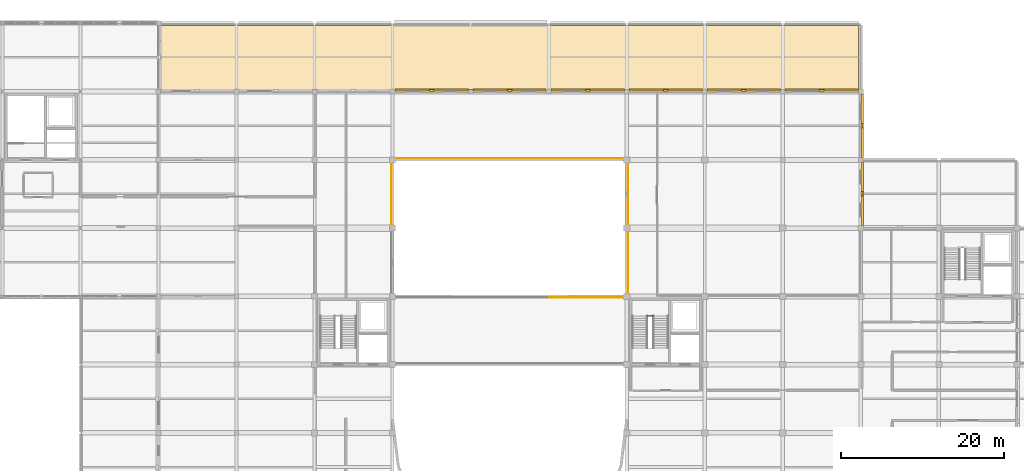
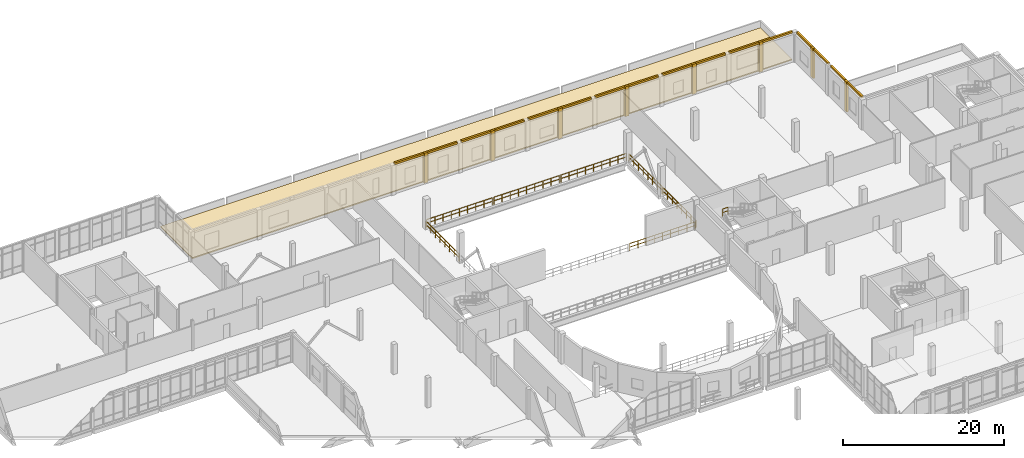
# One storey, part 87 of 88: 17 coverings, 8 railings.
"""IFC4 building model written with IfcOpenShell, lengths in metres."""

from ifc_helpers import new_model, si_unit, direction, frame, origin, origin_2d, place, context, subcontext, project, spatial, polyline, circle, outline, extrude, material, layer, layer_set, type_object, element, save


model = new_model("IFC4")

# Units and contexts
model_context = context("Model", 3, precision=1e-05, world=origin(), true_north=direction((0.0, 1.0)))
body_context = subcontext(model_context, "Body", "Model", "MODEL_VIEW")
ifc_project = project(units=[si_unit("LENGTHUNIT", "METRE"), si_unit("AREAUNIT", "SQUARE_METRE"), si_unit("VOLUMEUNIT", "CUBIC_METRE"), si_unit("PLANEANGLEUNIT", "RADIAN"), si_unit("MASSUNIT", "GRAM", prefix="KILO")], contexts=[model_context])

# Site, building, storey
site_placement = place(None, origin())
site = spatial("IfcSite", under=ifc_project, at=site_placement, CompositionType="ELEMENT")
building_placement = place(site_placement, origin())
building = spatial("IfcBuilding", under=site, at=building_placement, Name="Lornevale Opera House", CompositionType="ELEMENT")
storey_placement = place(building_placement, frame((0.0, 0.0, 10.199951171875)))
storey = spatial("IfcBuildingStorey", under=building, at=storey_placement, Name="L03", CompositionType="ELEMENT", Elevation=10.199951171875)

# Railings
ifc_material_1 = material(Name="Structural Steel CSA G40.21 Grade 350W (350 MPa)", Category="steel")
ifc_layer_1 = layer(ifc_material_1, 0.06005859375)
ifc_layer_set_1 = layer_set([ifc_layer_1], Name="Structural Steel CSA G40.21 Grade 350W (350 MPa)")
railing_type_1 = type_object("IfcRailingType", Name="Atrium Acoustic Balustrade 1120", PredefinedType="BALUSTRADE", material=ifc_layer_set_1)
railing_1_placement = place(storey_placement, frame((67.06005859375, 75.719970703125, 0.0)))
element("IfcRailing", 1, at=railing_1_placement, inside=storey, type_object=railing_type_1, Name="Atrium & Bowl Balustrade L03 0351", PredefinedType="BALUSTRADE", context=body_context, shape_type="SweptSolid", body=[
    extrude(circle(Radius=0.02392578125, at=origin_2d()), frame((0.0, 0.0, 1.09619140625), z_axis=(0.0, 1.0, 0.0), x_axis=(-1.0, 0.0, 0.0)), (0.0, 0.0, 1.0), 8.159912109375),
    extrude(circle(Radius=0.02392578125, at=origin_2d()), frame((0.0, 0.0, 0.56005859375), z_axis=(0.0, 1.0, 0.0), x_axis=(-1.0, 0.0, 0.0)), (0.0, 0.0, 1.0), 8.159912109375),
    extrude(circle(Radius=0.02099609375, at=origin_2d()), origin(), (0.0, 0.0, 1.0), 1.072021484375),
    extrude(circle(Radius=0.02099609375, at=origin_2d()), frame((0.0, 1.165771484375, 0.0)), (0.0, 0.0, 1.0), 1.072021484375),
    extrude(circle(Radius=0.02099609375, at=origin_2d()), frame((0.0, 2.331298828125, 0.0)), (0.0, 0.0, 1.0), 1.072021484375),
    extrude(circle(Radius=0.02099609375, at=origin_2d()), frame((0.0, 3.4970703125, 0.0)), (0.0, 0.0, 1.0), 1.072021484375),
    extrude(circle(Radius=0.02099609375, at=origin_2d()), frame((0.0, 4.662841796875, 0.0)), (0.0, 0.0, 1.0), 1.072021484375),
    extrude(circle(Radius=0.02099609375, at=origin_2d()), frame((0.0, 5.82861328125, 0.0)), (0.0, 0.0, 1.0), 1.072021484375),
    extrude(circle(Radius=0.02099609375, at=origin_2d()), frame((0.0, 6.994140625, 0.0)), (0.0, 0.0, 1.0), 1.072021484375),
    extrude(circle(Radius=0.02099609375, at=origin_2d()), frame((0.0, 8.159912109375, 0.0)), (0.0, 0.0, 1.0), 1.072021484375),
])
railing_2_placement = place(storey_placement, frame((67.320068359375, 84.139892578125, 0.0)))
element("IfcRailing", 2, at=railing_2_placement, inside=storey, type_object=railing_type_1, Name="Atrium & Bowl Balustrade L03 0356", PredefinedType="BALUSTRADE", context=body_context, shape_type="SweptSolid", body=[
    extrude(circle(Radius=0.02392578125, at=origin_2d()), frame((0.0, 0.0, 1.09619140625), z_axis=(1.0, 0.0, 0.0), x_axis=(0.0, 1.0, 0.0)), (0.0, 0.0, 1.0), 9.35986328125),
    extrude(circle(Radius=0.02392578125, at=origin_2d()), frame((0.0, 0.0, 0.56005859375), z_axis=(1.0, 0.0, 0.0), x_axis=(0.0, 1.0, 0.0)), (0.0, 0.0, 1.0), 9.35986328125),
    extrude(circle(Radius=0.02099609375, at=origin_2d()), origin(), (0.0, 0.0, 1.0), 1.072021484375),
    extrude(circle(Radius=0.02099609375, at=origin_2d()), frame((1.169921875, 0.0, 0.0)), (0.0, 0.0, 1.0), 1.072021484375),
    extrude(circle(Radius=0.02099609375, at=origin_2d()), frame((2.33984375, 0.0, 0.0)), (0.0, 0.0, 1.0), 1.072021484375),
    extrude(circle(Radius=0.02099609375, at=origin_2d()), frame((3.510009765625, 0.0, 0.0)), (0.0, 0.0, 1.0), 1.072021484375),
    extrude(circle(Radius=0.02099609375, at=origin_2d()), frame((4.679931640625, 0.0, 0.0)), (0.0, 0.0, 1.0), 1.072021484375),
    extrude(circle(Radius=0.02099609375, at=origin_2d()), frame((5.849853515625, 0.0, 0.0)), (0.0, 0.0, 1.0), 1.072021484375),
    extrude(circle(Radius=0.02099609375, at=origin_2d()), frame((7.02001953125, 0.0, 0.0)), (0.0, 0.0, 1.0), 1.072021484375),
    extrude(circle(Radius=0.02099609375, at=origin_2d()), frame((8.18994140625, 0.0, 0.0)), (0.0, 0.0, 1.0), 1.072021484375),
    extrude(circle(Radius=0.02099609375, at=origin_2d()), frame((9.35986328125, 0.0, 0.0)), (0.0, 0.0, 1.0), 1.072021484375),
])
railing_3_placement = place(storey_placement, frame((76.919921875, 84.139892578125, 0.0)))
element("IfcRailing", 3, at=railing_3_placement, inside=storey, type_object=railing_type_1, Name="Atrium & Bowl Balustrade L03 0361", PredefinedType="BALUSTRADE", context=body_context, shape_type="SweptSolid", body=[
    extrude(circle(Radius=0.02392578125, at=origin_2d()), frame((0.0, 0.0, 1.09619140625), z_axis=(1.0, 0.0, 0.0), x_axis=(0.0, 1.0, 0.0)), (0.0, 0.0, 1.0), 9.360107421875),
    extrude(circle(Radius=0.02392578125, at=origin_2d()), frame((0.0, 0.0, 0.56005859375), z_axis=(1.0, 0.0, 0.0), x_axis=(0.0, 1.0, 0.0)), (0.0, 0.0, 1.0), 9.360107421875),
    extrude(circle(Radius=0.02099609375, at=origin_2d()), origin(), (0.0, 0.0, 1.0), 1.072021484375),
    extrude(circle(Radius=0.02099609375, at=origin_2d()), frame((1.169921875, 0.0, 0.0)), (0.0, 0.0, 1.0), 1.072021484375),
    extrude(circle(Radius=0.02099609375, at=origin_2d()), frame((2.340087890625, 0.0, 0.0)), (0.0, 0.0, 1.0), 1.072021484375),
    extrude(circle(Radius=0.02099609375, at=origin_2d()), frame((3.510009765625, 0.0, 0.0)), (0.0, 0.0, 1.0), 1.072021484375),
    extrude(circle(Radius=0.02099609375, at=origin_2d()), frame((4.68017578125, 0.0, 0.0)), (0.0, 0.0, 1.0), 1.072021484375),
    extrude(circle(Radius=0.02099609375, at=origin_2d()), frame((5.85009765625, 0.0, 0.0)), (0.0, 0.0, 1.0), 1.072021484375),
    extrude(circle(Radius=0.02099609375, at=origin_2d()), frame((7.02001953125, 0.0, 0.0)), (0.0, 0.0, 1.0), 1.072021484375),
    extrude(circle(Radius=0.02099609375, at=origin_2d()), frame((8.190185546875, 0.0, 0.0)), (0.0, 0.0, 1.0), 1.072021484375),
    extrude(circle(Radius=0.02099609375, at=origin_2d()), frame((9.360107421875, 0.0, 0.0)), (0.0, 0.0, 1.0), 1.072021484375),
])
for number, where, name in (
    (4, (86.52001953125, 67.06005859375, 0.0), "Atrium & Bowl Balustrade L03 0365"),
    (5, (86.52001953125, 84.139892578125, 0.0), "Atrium & Bowl Balustrade L03 0366"),
):
    element("IfcRailing", number, at=place(storey_placement, frame(where)), inside=storey, type_object=railing_type_1, Name=name, PredefinedType="BALUSTRADE", context=body_context, shape_type="SweptSolid", body=[
        extrude(circle(Radius=0.02392578125, at=origin_2d()), frame((0.0, 0.0, 1.09619140625), z_axis=(1.0, 0.0, 0.0), x_axis=(0.0, 1.0, 0.0)), (0.0, 0.0, 1.0), 9.35986328125),
        extrude(circle(Radius=0.02392578125, at=origin_2d()), frame((0.0, 0.0, 0.56005859375), z_axis=(1.0, 0.0, 0.0), x_axis=(0.0, 1.0, 0.0)), (0.0, 0.0, 1.0), 9.35986328125),
        extrude(circle(Radius=0.02099609375, at=origin_2d()), origin(), (0.0, 0.0, 1.0), 1.072021484375),
        extrude(circle(Radius=0.02099609375, at=origin_2d()), frame((1.169921875, 0.0, 0.0)), (0.0, 0.0, 1.0), 1.072021484375),
        extrude(circle(Radius=0.02099609375, at=origin_2d()), frame((2.33984375, 0.0, 0.0)), (0.0, 0.0, 1.0), 1.072021484375),
        extrude(circle(Radius=0.02099609375, at=origin_2d()), frame((3.510009765625, 0.0, 0.0)), (0.0, 0.0, 1.0), 1.072021484375),
        extrude(circle(Radius=0.02099609375, at=origin_2d()), frame((4.679931640625, 0.0, 0.0)), (0.0, 0.0, 1.0), 1.072021484375),
        extrude(circle(Radius=0.02099609375, at=origin_2d()), frame((5.849853515625, 0.0, 0.0)), (0.0, 0.0, 1.0), 1.072021484375),
        extrude(circle(Radius=0.02099609375, at=origin_2d()), frame((7.02001953125, 0.0, 0.0)), (0.0, 0.0, 1.0), 1.072021484375),
        extrude(circle(Radius=0.02099609375, at=origin_2d()), frame((8.18994140625, 0.0, 0.0)), (0.0, 0.0, 1.0), 1.072021484375),
        extrude(circle(Radius=0.02099609375, at=origin_2d()), frame((9.35986328125, 0.0, 0.0)), (0.0, 0.0, 1.0), 1.072021484375),
    ])
for number, where, name in (
    (6, (96.139892578125, 67.320068359375, 0.0), "Atrium & Bowl Balustrade L03 0369"),
    (7, (96.139892578125, 75.719970703125, 0.0), "Atrium & Bowl Balustrade L03 0370"),
):
    element("IfcRailing", number, at=place(storey_placement, frame(where)), inside=storey, type_object=railing_type_1, Name=name, PredefinedType="BALUSTRADE", context=body_context, shape_type="SweptSolid", body=[
        extrude(circle(Radius=0.02392578125, at=origin_2d()), frame((0.0, 0.0, 1.09619140625), z_axis=(0.0, 1.0, 0.0), x_axis=(-1.0, 0.0, 0.0)), (0.0, 0.0, 1.0), 8.159912109375),
        extrude(circle(Radius=0.02392578125, at=origin_2d()), frame((0.0, 0.0, 0.56005859375), z_axis=(0.0, 1.0, 0.0), x_axis=(-1.0, 0.0, 0.0)), (0.0, 0.0, 1.0), 8.159912109375),
        extrude(circle(Radius=0.02099609375, at=origin_2d()), origin(), (0.0, 0.0, 1.0), 1.072021484375),
        extrude(circle(Radius=0.02099609375, at=origin_2d()), frame((0.0, 1.165771484375, 0.0)), (0.0, 0.0, 1.0), 1.072021484375),
        extrude(circle(Radius=0.02099609375, at=origin_2d()), frame((0.0, 2.331298828125, 0.0)), (0.0, 0.0, 1.0), 1.072021484375),
        extrude(circle(Radius=0.02099609375, at=origin_2d()), frame((0.0, 3.4970703125, 0.0)), (0.0, 0.0, 1.0), 1.072021484375),
        extrude(circle(Radius=0.02099609375, at=origin_2d()), frame((0.0, 4.662841796875, 0.0)), (0.0, 0.0, 1.0), 1.072021484375),
        extrude(circle(Radius=0.02099609375, at=origin_2d()), frame((0.0, 5.82861328125, 0.0)), (0.0, 0.0, 1.0), 1.072021484375),
        extrude(circle(Radius=0.02099609375, at=origin_2d()), frame((0.0, 6.994140625, 0.0)), (0.0, 0.0, 1.0), 1.072021484375),
        extrude(circle(Radius=0.02099609375, at=origin_2d()), frame((0.0, 8.159912109375, 0.0)), (0.0, 0.0, 1.0), 1.072021484375),
    ])

# Coverings
ifc_material_2 = material(Name="Vegetated Extensive Green Roof Assembly")
ifc_layer_2 = layer(ifc_material_2, 0.159912109375)
ifc_layer_set_2 = layer_set([ifc_layer_2], Name="Vegetated Extensive Green Roof Assembly")
covering_type_1 = type_object("IfcCoveringType", Name="Chapter 492 Green Roof Covering", PredefinedType="ROOFING", material=ifc_layer_set_2)
covering_1_placement = place(storey_placement, origin())
element("IfcCovering", 8, at=covering_1_placement, inside=storey, type_object=covering_type_1, Name="Chapter 492 Green Roof Covering 0562", PredefinedType="ROOFING", context=body_context, shape_type="SweptSolid", body=[
    extrude(outline(polyline([(124.5400390625, 100.5400390625), (124.5400390625, 92.659912109375), (38.659912109375, 92.659912109375), (38.659912109375, 100.5400390625), (124.5400390625, 100.5400390625)])), origin(), (0.0, 0.0, 1.0), 0.16015625),
])
ifc_material_3 = material(Name="Precast Concrete 40 MPa (CSA A23.1 C-1)", Category="concrete")
ifc_layer_3 = layer(ifc_material_3, 0.260009765625)
ifc_layer_set_3 = layer_set([ifc_layer_3], Name="Precast Concrete 40 MPa (CSA A23.1 C-1)")
covering_type_2 = type_object("IfcCoveringType", Name="Postmodern Sandstone Pilaster Rib", PredefinedType="CLADDING", material=ifc_layer_set_3)
covering_2_placement = place(storey_placement, origin())
element("IfcCovering", 9, at=covering_2_placement, inside=storey, type_object=covering_type_2, Name="Postmodern Sandstone Pilaster 0324", PredefinedType="CLADDING", context=body_context, shape_type="SweptSolid", body=[
    extrude(outline(polyline([(71.73291015625, 92.39990234375), (72.29296875, 92.39990234375), (72.29296875, 92.679931640625), (71.73291015625, 92.679931640625), (71.73291015625, 92.39990234375)])), origin(), (0.0, 0.0, 1.0), 4.5400390625),
])
covering_3_placement = place(storey_placement, origin())
element("IfcCovering", 10, at=covering_3_placement, inside=storey, type_object=covering_type_2, Name="Postmodern Sandstone Pilaster 0327", PredefinedType="CLADDING", context=body_context, shape_type="SweptSolid", body=[
    extrude(outline(polyline([(81.30810546875, 92.39990234375), (81.867919921875, 92.39990234375), (81.867919921875, 92.679931640625), (81.30810546875, 92.679931640625), (81.30810546875, 92.39990234375)])), origin(), (0.0, 0.0, 1.0), 4.5400390625),
])
covering_4_placement = place(storey_placement, origin())
element("IfcCovering", 11, at=covering_4_placement, inside=storey, type_object=covering_type_2, Name="Postmodern Sandstone Pilaster 0330", PredefinedType="CLADDING", context=body_context, shape_type="SweptSolid", body=[
    extrude(outline(polyline([(90.93310546875, 92.39990234375), (91.492919921875, 92.39990234375), (91.492919921875, 92.679931640625), (90.93310546875, 92.679931640625), (90.93310546875, 92.39990234375)])), origin(), (0.0, 0.0, 1.0), 4.5400390625),
])
covering_5_placement = place(storey_placement, origin())
element("IfcCovering", 12, at=covering_5_placement, inside=storey, type_object=covering_type_2, Name="Postmodern Sandstone Pilaster 0334", PredefinedType="CLADDING", context=body_context, shape_type="SweptSolid", body=[
    extrude(outline(polyline([(100.508056640625, 92.39990234375), (101.068115234375, 92.39990234375), (101.068115234375, 92.679931640625), (100.508056640625, 92.679931640625), (100.508056640625, 92.39990234375)])), origin(), (0.0, 0.0, 1.0), 4.5400390625),
])
covering_6_placement = place(storey_placement, origin())
element("IfcCovering", 13, at=covering_6_placement, inside=storey, type_object=covering_type_2, Name="Postmodern Sandstone Pilaster 0338", PredefinedType="CLADDING", context=body_context, shape_type="SweptSolid", body=[
    extrude(outline(polyline([(110.133056640625, 92.39990234375), (110.693115234375, 92.39990234375), (110.693115234375, 92.679931640625), (110.133056640625, 92.679931640625), (110.133056640625, 92.39990234375)])), origin(), (0.0, 0.0, 1.0), 4.5400390625),
])
covering_7_placement = place(storey_placement, origin())
element("IfcCovering", 14, at=covering_7_placement, inside=storey, type_object=covering_type_2, Name="Postmodern Sandstone Pilaster 0342", PredefinedType="CLADDING", context=body_context, shape_type="SweptSolid", body=[
    extrude(outline(polyline([(124.800048828125, 80.116943359375), (124.800048828125, 79.556884765625), (125.080078125, 79.556884765625), (125.080078125, 80.116943359375), (124.800048828125, 80.116943359375)])), origin(), (0.0, 0.0, 1.0), 4.5400390625),
])
covering_8_placement = place(storey_placement, origin())
element("IfcCovering", 15, at=covering_8_placement, inside=storey, type_object=covering_type_2, Name="Postmodern Sandstone Pilaster 0344", PredefinedType="CLADDING", context=body_context, shape_type="SweptSolid", body=[
    extrude(outline(polyline([(119.70703125, 92.39990234375), (120.26708984375, 92.39990234375), (120.26708984375, 92.679931640625), (119.70703125, 92.679931640625), (119.70703125, 92.39990234375)])), origin(), (0.0, 0.0, 1.0), 4.5400390625),
])
covering_9_placement = place(storey_placement, origin())
element("IfcCovering", 16, at=covering_9_placement, inside=storey, type_object=covering_type_2, Name="Postmodern Sandstone Pilaster 0346", PredefinedType="CLADDING", context=body_context, shape_type="SweptSolid", body=[
    extrude(outline(polyline([(124.800048828125, 88.467041015625), (124.800048828125, 87.906982421875), (125.080078125, 87.906982421875), (125.080078125, 88.467041015625), (124.800048828125, 88.467041015625)])), origin(), (0.0, 0.0, 1.0), 4.5400390625),
])
ifc_material_4 = material(Name="Queenston Buff Limestone Ashlar Masonry (25 MPa)", Category="masonry")
ifc_layer_4 = layer(ifc_material_4, 0.1201171875)
ifc_layer_set_4 = layer_set([ifc_layer_4], Name="Queenston Buff Limestone Ashlar Masonry (25 MPa)")
covering_type_3 = type_object("IfcCoveringType", Name="Precast Limestone Cornice Band", PredefinedType="CLADDING", material=ifc_layer_set_4)
covering_10_placement = place(storey_placement, frame((0.0, 0.0, 4.260009765625)))
element("IfcCovering", 17, at=covering_10_placement, inside=storey, type_object=covering_type_3, Name="Precast Limestone Cornice Band 0325", PredefinedType="CLADDING", context=body_context, shape_type="SweptSolid", body=[
    extrude(outline(polyline([(67.5, 92.4599609375), (76.52490234375, 92.4599609375), (76.52490234375, 92.719970703125), (67.5, 92.719970703125), (67.5, 92.4599609375)])), origin(), (0.0, 0.0, 1.0), 0.280029296875),
])
covering_11_placement = place(storey_placement, frame((0.0, 0.0, 4.260009765625)))
element("IfcCovering", 18, at=covering_11_placement, inside=storey, type_object=covering_type_3, Name="Precast Limestone Cornice Band 0328", PredefinedType="CLADDING", context=body_context, shape_type="SweptSolid", body=[
    extrude(outline(polyline([(77.074951171875, 92.4599609375), (86.10009765625, 92.4599609375), (86.10009765625, 92.719970703125), (77.074951171875, 92.719970703125), (77.074951171875, 92.4599609375)])), origin(), (0.0, 0.0, 1.0), 0.280029296875),
])
covering_12_placement = place(storey_placement, frame((0.0, 0.0, 4.260009765625)))
element("IfcCovering", 19, at=covering_12_placement, inside=storey, type_object=covering_type_3, Name="Precast Limestone Cornice Band 0331", PredefinedType="CLADDING", context=body_context, shape_type="SweptSolid", body=[
    extrude(outline(polyline([(86.699951171875, 92.4599609375), (95.72509765625, 92.4599609375), (95.72509765625, 92.719970703125), (86.699951171875, 92.719970703125), (86.699951171875, 92.4599609375)])), origin(), (0.0, 0.0, 1.0), 0.280029296875),
])
covering_13_placement = place(storey_placement, frame((0.0, 0.0, 4.260009765625)))
element("IfcCovering", 20, at=covering_13_placement, inside=storey, type_object=covering_type_3, Name="Precast Limestone Cornice Band 0335", PredefinedType="CLADDING", context=body_context, shape_type="SweptSolid", body=[
    extrude(outline(polyline([(96.27490234375, 92.4599609375), (105.300048828125, 92.4599609375), (105.300048828125, 92.719970703125), (96.27490234375, 92.719970703125), (96.27490234375, 92.4599609375)])), origin(), (0.0, 0.0, 1.0), 0.280029296875),
])
covering_14_placement = place(storey_placement, frame((0.0, 0.0, 4.260009765625)))
element("IfcCovering", 21, at=covering_14_placement, inside=storey, type_object=covering_type_3, Name="Precast Limestone Cornice Band 0339", PredefinedType="CLADDING", context=body_context, shape_type="SweptSolid", body=[
    extrude(outline(polyline([(105.89990234375, 92.4599609375), (114.925048828125, 92.4599609375), (114.925048828125, 92.719970703125), (105.89990234375, 92.719970703125), (105.89990234375, 92.4599609375)])), origin(), (0.0, 0.0, 1.0), 0.280029296875),
])
covering_15_placement = place(storey_placement, frame((0.0, 0.0, 4.260009765625)))
element("IfcCovering", 22, at=covering_15_placement, inside=storey, type_object=covering_type_3, Name="Precast Limestone Cornice Band 0343", PredefinedType="CLADDING", context=body_context, shape_type="SweptSolid", body=[
    extrude(outline(polyline([(124.860107421875, 83.72509765625), (124.860107421875, 75.949951171875), (125.1201171875, 75.949951171875), (125.1201171875, 83.72509765625), (124.860107421875, 83.72509765625)])), origin(), (0.0, 0.0, 1.0), 0.280029296875),
])
covering_16_placement = place(storey_placement, frame((0.0, 0.0, 4.260009765625)))
element("IfcCovering", 23, at=covering_16_placement, inside=storey, type_object=covering_type_3, Name="Precast Limestone Cornice Band 0345", PredefinedType="CLADDING", context=body_context, shape_type="SweptSolid", body=[
    extrude(outline(polyline([(115.47509765625, 92.4599609375), (124.5, 92.4599609375), (124.5, 92.719970703125), (115.47509765625, 92.719970703125), (115.47509765625, 92.4599609375)])), origin(), (0.0, 0.0, 1.0), 0.280029296875),
])
covering_17_placement = place(storey_placement, frame((0.0, 0.0, 4.260009765625)))
element("IfcCovering", 24, at=covering_17_placement, inside=storey, type_object=covering_type_3, Name="Precast Limestone Cornice Band 0347", PredefinedType="CLADDING", context=body_context, shape_type="SweptSolid", body=[
    extrude(outline(polyline([(124.860107421875, 92.10009765625), (124.860107421875, 84.27490234375), (125.1201171875, 84.27490234375), (125.1201171875, 92.10009765625), (124.860107421875, 92.10009765625)])), origin(), (0.0, 0.0, 1.0), 0.280029296875),
])

# Railing
ifc_layer_5 = layer(ifc_material_1, 0.050048828125)
ifc_layer_set_5 = layer_set([ifc_layer_5], Name="Structural Steel CSA G40.21 Grade 350W (350 MPa)")
railing_type_2 = type_object("IfcRailingType", Name="Stair Well Guardrail 1100", PredefinedType="GUARDRAIL", material=ifc_layer_set_5)
railing_4_placement = place(storey_placement, frame((98.52001953125, 64.81005859375, 2.400146484375)))
element("IfcRailing", 25, at=railing_4_placement, inside=storey, type_object=railing_type_2, Name="ST-24 Half-Landing Slot Guard", PredefinedType="GUARDRAIL", context=body_context, shape_type="SweptSolid", body=[
    extrude(circle(Radius=0.02392578125, at=origin_2d()), frame((0.0, 0.0, 1.076171875), z_axis=(1.0, 0.0, 0.0), x_axis=(0.0, 1.0, 0.0)), (0.0, 0.0, 1.0), 0.760009765625),
    extrude(circle(Radius=0.02392578125, at=origin_2d()), frame((0.0, 0.0, 0.550048828125), z_axis=(1.0, 0.0, 0.0), x_axis=(0.0, 1.0, 0.0)), (0.0, 0.0, 1.0), 0.760009765625),
    extrude(circle(Radius=0.02099609375, at=origin_2d()), origin(), (0.0, 0.0, 1.0), 1.052001953125),
    extrude(circle(Radius=0.02099609375, at=origin_2d()), frame((0.760009765625, 0.0, 0.0)), (0.0, 0.0, 1.0), 1.052001953125),
])

save(model, "model.ifc")
